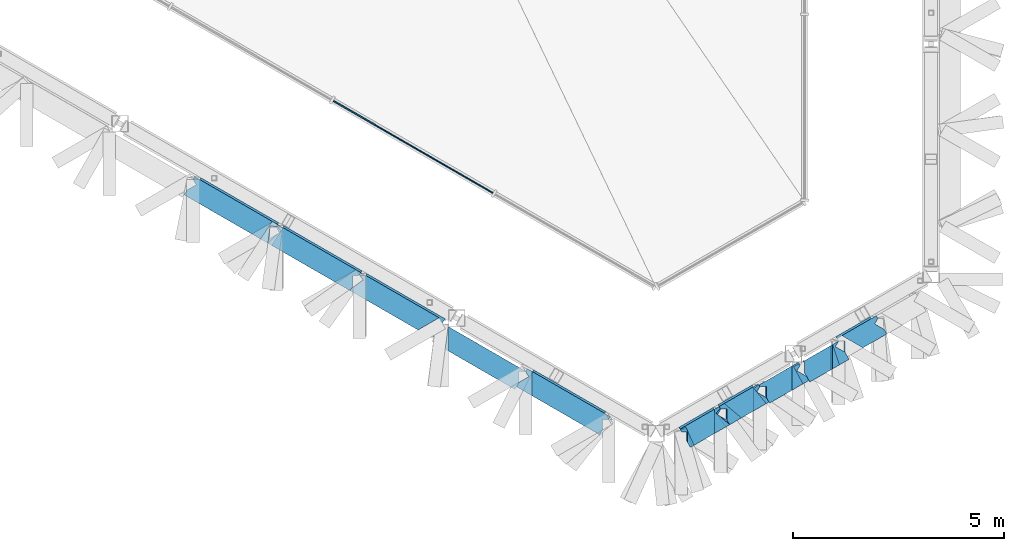
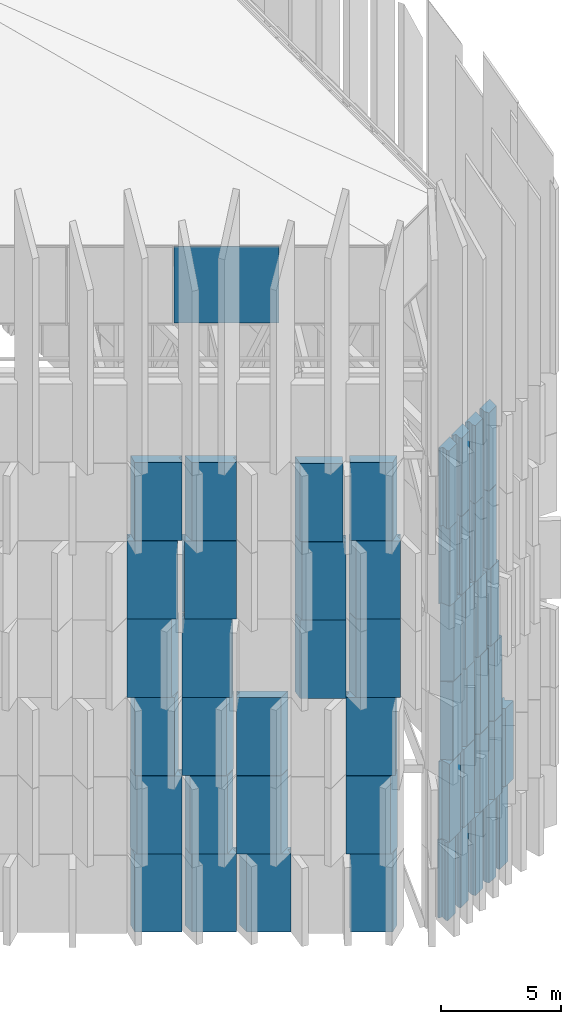
# One storey, part 29 of 45: 51 plates, 1 element without a shape of its own.
"""IFC4 building model written with IfcOpenShell, lengths in metres."""

from ifc_helpers import new_model, si_unit, direction, frame, origin, origin_2d, place, context, subcontext, project, spatial, polyline, rectangle, outline, extrude, material, layer, layer_set, type_object, element, aggregate, save


model = new_model("IFC4")

# Units and contexts
model_context = context("Model", 3, precision=1e-05, world=origin(), true_north=direction((0.0, 1.0)))
body_context = subcontext(model_context, "Body", "Model", "MODEL_VIEW")
ifc_project = project(units=[si_unit("LENGTHUNIT", "METRE"), si_unit("AREAUNIT", "SQUARE_METRE"), si_unit("VOLUMEUNIT", "CUBIC_METRE"), si_unit("PLANEANGLEUNIT", "RADIAN"), si_unit("MASSUNIT", "GRAM", prefix="KILO")], contexts=[model_context])

# Site, building, storey
site_placement = place(None, origin())
site = spatial("IfcSite", under=ifc_project, at=site_placement, CompositionType="ELEMENT")
building_placement = place(site_placement, origin())
building = spatial("IfcBuilding", under=site, at=building_placement, Name="Jabali Bay Hotel Tower and Convention Centre", CompositionType="ELEMENT")
storey_placement = place(building_placement, frame((0.0, 0.0, 322.39990234375)))
storey = spatial("IfcBuildingStorey", under=building, at=storey_placement, Name="Crown", CompositionType="ELEMENT", Elevation=322.39990234375)

# Curtain wall, plate
ifc_material_1 = material(Name="Aluminium and glass", Category="aluminium")
ifc_layer_1 = layer(ifc_material_1, 0.199951171875)
ifc_layer_set_1 = layer_set([ifc_layer_1], Name="Aluminium and glass")
curtain_wall_type = type_object("IfcCurtainWallType", Name="CW6 curtain wall", PredefinedType="NOTDEFINED", material=ifc_layer_set_1)
curtain_wall_placement = place(storey_placement, origin())
curtain_wall = element("IfcCurtainWall", 1, at=curtain_wall_placement, inside=storey, type_object=curtain_wall_type, Name="CW6 lantern glazing 5", PredefinedType="NOTDEFINED")
ifc_material_2 = material(Name="Glass", Category="glass")
ifc_layer_2 = layer(ifc_material_2, 0.031982421875)
ifc_layer_set_2 = layer_set([ifc_layer_2], Name="Glass")
plate_type_1 = type_object("IfcPlateType", Name="CW6 glass panel 32", PredefinedType="CURTAIN_PANEL", material=ifc_layer_set_2)
plate_1_placement = place(storey_placement, frame((80.865478515625, 59.121337890625, 28.41015625), z_axis=(0.0, 0.0, 1.0), x_axis=(0.866025400826, -0.500000005124, 0.0)))
plate_1 = element("IfcPlate", 2, at=plate_1_placement, type_object=plate_type_1, Name="CW6 panel 9.1", PredefinedType="CURTAIN_PANEL", context=body_context, shape_type="SweptSolid", body=[
    extrude(rectangle(XDim=4.3740234375, YDim=0.031982421875, at=origin_2d()), origin(), (0.0, 0.0, 1.0), 3.8798828125),
])
aggregate(curtain_wall, [plate_1])

# Plates
ifc_material_3 = material(Name="Precast concrete C60", Category="concrete")
ifc_layer_3 = layer(ifc_material_3, 0.5)
ifc_layer_set_3 = layer_set([ifc_layer_3], Name="Precast concrete C60")
plate_type_2 = type_object("IfcPlateType", Name="Pierced precast screen", PredefinedType="USERDEFINED", material=ifc_layer_set_3)
plate_2_placement = place(storey_placement, frame((0.0, 0.0, 0.010009765625)))
element("IfcPlate", 3, at=plate_2_placement, inside=storey, type_object=plate_type_2, Name="Screen 1.4.71", ObjectType="SCREEN", PredefinedType="USERDEFINED", context=body_context, shape_type="SweptSolid", body=[
    extrude(outline(polyline([(77.678955078125, 57.32373046875), (75.830810546875, 58.390869140625), (75.72705078125, 57.873291015625), (77.428955078125, 56.890625), (77.491455078125, 56.9990234375), (77.491455078125, 57.2587890625), (77.6416015625, 57.2587890625), (77.678955078125, 57.32373046875)])), origin(), (0.0, 0.0, 1.0), 3.9658203125),
])
plate_3_placement = place(storey_placement, frame((0.0, 0.0, 0.010009765625)))
element("IfcPlate", 4, at=plate_3_placement, inside=storey, type_object=plate_type_2, Name="Screen 1.4.72", ObjectType="SCREEN", PredefinedType="USERDEFINED", context=body_context, shape_type="SweptSolid", body=[
    extrude(outline(polyline([(79.650390625, 56.185546875), (77.79150390625, 57.2587890625), (77.79150390625, 56.681396484375), (79.400390625, 55.75244140625), (79.462890625, 55.86083984375), (79.462890625, 56.12060546875), (79.613037109375, 56.12060546875), (79.650390625, 56.185546875)])), origin(), (0.0, 0.0, 1.0), 3.9658203125),
])
plate_4_placement = place(storey_placement, frame((0.0, 0.0, 0.010009765625)))
element("IfcPlate", 5, at=plate_4_placement, inside=storey, type_object=plate_type_2, Name="Screen 1.4.73", ObjectType="SCREEN", PredefinedType="USERDEFINED", context=body_context, shape_type="SweptSolid", body=[
    extrude(outline(polyline([(81.621826171875, 55.04736328125), (79.762939453125, 56.12060546875), (79.762939453125, 55.543212890625), (81.361572265625, 54.6201171875), (81.40234375, 54.943603515625), (81.551025390625, 54.9248046875), (81.621826171875, 55.04736328125)])), origin(), (0.0, 0.0, 1.0), 3.9658203125),
])
plate_5_placement = place(storey_placement, frame((0.0, 0.0, 0.010009765625)))
element("IfcPlate", 6, at=plate_5_placement, inside=storey, type_object=plate_type_2, Name="Screen 1.4.75", ObjectType="SCREEN", PredefinedType="USERDEFINED", context=body_context, shape_type="SweptSolid", body=[
    extrude(outline(polyline([(85.44189453125, 52.841796875), (83.722900390625, 53.834228515625), (83.4990234375, 53.38623046875), (85.042724609375, 52.494873046875), (85.44189453125, 52.841796875)])), origin(), (0.0, 0.0, 1.0), 3.9658203125),
])
plate_6_placement = place(storey_placement, frame((0.0, 0.0, 0.010009765625)))
element("IfcPlate", 7, at=plate_6_placement, inside=storey, type_object=plate_type_2, Name="Screen 1.5.77", ObjectType="SCREEN", PredefinedType="USERDEFINED", context=body_context, shape_type="SweptSolid", body=[
    extrude(outline(polyline([(87.985595703125, 52.94384765625), (87.166259765625, 52.470947265625), (87.203857421875, 52.406005859375), (87.353759765625, 52.406005859375), (87.353759765625, 52.14599609375), (87.416259765625, 52.037841796875), (87.985595703125, 52.366455078125), (87.985595703125, 52.94384765625)])), origin(), (0.0, 0.0, 1.0), 3.9658203125),
])
plate_7_placement = place(storey_placement, frame((0.0, 0.0, 0.010009765625)))
element("IfcPlate", 8, at=plate_7_placement, inside=storey, type_object=plate_type_2, Name="Screen 1.5.78", ObjectType="SCREEN", PredefinedType="USERDEFINED", context=body_context, shape_type="SweptSolid", body=[
    extrude(outline(polyline([(88.917724609375, 53.48193359375), (88.09814453125, 53.0087890625), (88.1357421875, 52.94384765625), (88.28564453125, 52.94384765625), (88.28564453125, 52.68408203125), (88.34814453125, 52.575927734375), (88.917724609375, 52.904541015625), (88.917724609375, 53.48193359375)])), origin(), (0.0, 0.0, 1.0), 3.9658203125),
])
plate_8_placement = place(storey_placement, frame((0.0, 0.0, 0.010009765625)))
element("IfcPlate", 9, at=plate_8_placement, inside=storey, type_object=plate_type_2, Name="Screen 1.5.79", ObjectType="SCREEN", PredefinedType="USERDEFINED", context=body_context, shape_type="SweptSolid", body=[
    extrude(outline(polyline([(89.8525390625, 53.92822265625), (89.07958984375, 53.48193359375), (89.217529296875, 53.48193359375), (89.217529296875, 53.22216796875), (89.320556640625, 53.0439453125), (89.8525390625, 53.35107421875), (89.8525390625, 53.92822265625)])), origin(), (0.0, 0.0, 1.0), 3.9658203125),
])
plate_9_placement = place(storey_placement, frame((0.0, 0.0, 0.010009765625)))
element("IfcPlate", 10, at=plate_9_placement, inside=storey, type_object=plate_type_2, Name="Screen 1.5.80", ObjectType="SCREEN", PredefinedType="USERDEFINED", context=body_context, shape_type="SweptSolid", body=[
    extrude(outline(polyline([(90.781494140625, 54.415771484375), (90.0869140625, 54.014892578125), (90.152587890625, 54.014892578125), (90.152587890625, 53.755126953125), (90.273681640625, 53.545166015625), (90.781494140625, 53.83837890625), (90.781494140625, 54.415771484375)])), origin(), (0.0, 0.0, 1.0), 3.9658203125),
])
plate_10_placement = place(storey_placement, frame((0.0, 0.0, 0.010009765625)))
element("IfcPlate", 11, at=plate_10_placement, inside=storey, type_object=plate_type_2, Name="Screen 1.5.81", ObjectType="SCREEN", PredefinedType="USERDEFINED", context=body_context, shape_type="SweptSolid", body=[
    extrude(outline(polyline([(91.708740234375, 55.093505859375), (90.89404296875, 54.623046875), (90.931396484375, 54.55810546875), (91.08154296875, 54.55810546875), (91.08154296875, 54.29833984375), (91.14404296875, 54.18994140625), (91.7509765625, 54.54052734375), (91.708740234375, 55.093505859375)])), origin(), (0.0, 0.0, 1.0), 3.9658203125),
])
plate_11_placement = place(storey_placement, frame((0.0, 0.0, 3.995849609375)))
element("IfcPlate", 12, at=plate_11_placement, inside=storey, type_object=plate_type_2, Name="Screen 2.4.71", ObjectType="SCREEN", PredefinedType="USERDEFINED", context=body_context, shape_type="SweptSolid", body=[
    extrude(outline(polyline([(77.654052734375, 57.2802734375), (75.795166015625, 58.353515625), (75.795166015625, 57.776123046875), (77.404052734375, 56.847412109375), (77.4287109375, 56.889892578125), (77.476806640625, 57.250732421875), (77.62548828125, 57.23095703125), (77.654052734375, 57.2802734375)])), origin(), (0.0, 0.0, 1.0), 3.965576171875),
])
plate_12_placement = place(storey_placement, frame((0.0, 0.0, 3.995849609375)))
element("IfcPlate", 13, at=plate_12_placement, inside=storey, type_object=plate_type_2, Name="Screen 2.4.72", ObjectType="SCREEN", PredefinedType="USERDEFINED", context=body_context, shape_type="SweptSolid", body=[
    extrude(outline(polyline([(79.50732421875, 56.21044921875), (77.774169921875, 57.2109375), (77.70263671875, 56.675048828125), (79.05908203125, 55.891845703125), (79.50732421875, 56.21044921875)])), origin(), (0.0, 0.0, 1.0), 3.965576171875),
])
plate_13_placement = place(storey_placement, frame((0.0, 0.0, 3.995849609375)))
element("IfcPlate", 14, at=plate_13_placement, inside=storey, type_object=plate_type_2, Name="Screen 2.4.73", ObjectType="SCREEN", PredefinedType="USERDEFINED", context=body_context, shape_type="SweptSolid", body=[
    extrude(outline(polyline([(81.484375, 55.06884765625), (79.62548828125, 56.14208984375), (79.59423828125, 56.088134765625), (79.68115234375, 55.9658203125), (79.4140625, 55.776123046875), (79.37548828125, 55.709228515625), (80.984375, 54.7802734375), (81.484375, 55.06884765625)])), origin(), (0.0, 0.0, 1.0), 3.965576171875),
])
plate_14_placement = place(storey_placement, frame((0.0, 0.0, 3.995849609375)))
element("IfcPlate", 15, at=plate_14_placement, inside=storey, type_object=plate_type_2, Name="Screen 2.4.75", ObjectType="SCREEN", PredefinedType="USERDEFINED", context=body_context, shape_type="SweptSolid", body=[
    extrude(outline(polyline([(85.427001953125, 52.79248046875), (83.568115234375, 53.86572265625), (83.53076171875, 53.80078125), (83.605712890625, 53.6708984375), (83.380859375, 53.541015625), (83.318115234375, 53.432861328125), (84.927001953125, 52.50390625), (85.427001953125, 52.79248046875)])), origin(), (0.0, 0.0, 1.0), 3.965576171875),
])
plate_15_placement = place(storey_placement, frame((0.0, 0.0, 3.995849609375)))
element("IfcPlate", 16, at=plate_15_placement, inside=storey, type_object=plate_type_2, Name="Screen 2.5.77", ObjectType="SCREEN", PredefinedType="USERDEFINED", context=body_context, shape_type="SweptSolid", body=[
    extrude(outline(polyline([(88.123291015625, 52.965576171875), (87.19140625, 52.427490234375), (87.209716796875, 52.3955078125), (87.354248046875, 52.43603515625), (87.47314453125, 52.012939453125), (88.287109375, 52.48291015625), (88.009765625, 52.863525390625), (88.131103515625, 52.951904296875), (88.123291015625, 52.965576171875)])), origin(), (0.0, 0.0, 1.0), 3.965576171875),
])
plate_16_placement = place(storey_placement, frame((0.0, 0.0, 3.995849609375)))
element("IfcPlate", 17, at=plate_16_placement, inside=storey, type_object=plate_type_2, Name="Screen 2.5.78", ObjectType="SCREEN", PredefinedType="USERDEFINED", context=body_context, shape_type="SweptSolid", body=[
    extrude(outline(polyline([(89.05517578125, 53.503662109375), (88.25244140625, 53.0400390625), (88.54833984375, 52.6337890625), (89.30517578125, 53.070556640625), (89.262939453125, 53.143798828125), (89.001708984375, 53.324951171875), (89.087158203125, 53.4482421875), (89.05517578125, 53.503662109375)])), origin(), (0.0, 0.0, 1.0), 3.965576171875),
])
plate_17_placement = place(storey_placement, frame((0.0, 0.0, 3.995849609375)))
element("IfcPlate", 18, at=plate_17_placement, inside=storey, type_object=plate_type_2, Name="Screen 2.5.79", ObjectType="SCREEN", PredefinedType="USERDEFINED", context=body_context, shape_type="SweptSolid", body=[
    extrude(outline(polyline([(90.00244140625, 54.014892578125), (89.20068359375, 53.552001953125), (89.655029296875, 53.237060546875), (90.25244140625, 53.581787109375), (90.19482421875, 53.681884765625), (89.9697265625, 53.811767578125), (90.044677734375, 53.941650390625), (90.00244140625, 54.014892578125)])), origin(), (0.0, 0.0, 1.0), 3.965576171875),
])
plate_18_placement = place(storey_placement, frame((0.0, 0.0, 3.995849609375)))
element("IfcPlate", 19, at=plate_18_placement, inside=storey, type_object=plate_type_2, Name="Screen 2.5.80", ObjectType="SCREEN", PredefinedType="USERDEFINED", context=body_context, shape_type="SweptSolid", body=[
    extrude(outline(polyline([(90.95556640625, 54.516357421875), (90.152587890625, 54.052734375), (90.652587890625, 53.763916015625), (91.20556640625, 54.083251953125), (91.1064453125, 54.2548828125), (90.88134765625, 54.384765625), (90.95654296875, 54.514892578125), (90.95556640625, 54.516357421875)])), origin(), (0.0, 0.0, 1.0), 3.965576171875),
])
plate_19_placement = place(storey_placement, frame((0.0, 0.0, 3.995849609375)))
element("IfcPlate", 20, at=plate_19_placement, inside=storey, type_object=plate_type_2, Name="Screen 2.5.81", ObjectType="SCREEN", PredefinedType="USERDEFINED", context=body_context, shape_type="SweptSolid", body=[
    extrude(outline(polyline([(91.850830078125, 55.11767578125), (91.031494140625, 54.644775390625), (91.531494140625, 54.35595703125), (92.100830078125, 54.684814453125), (92.038330078125, 54.79296875), (91.8134765625, 54.9228515625), (91.888427734375, 55.052734375), (91.850830078125, 55.11767578125)])), origin(), (0.0, 0.0, 1.0), 3.965576171875),
])
plate_20_placement = place(storey_placement, frame((0.0, 0.0, 7.9814453125)))
element("IfcPlate", 21, at=plate_20_placement, inside=storey, type_object=plate_type_2, Name="Screen 3.4.71", ObjectType="SCREEN", PredefinedType="USERDEFINED", context=body_context, shape_type="SweptSolid", body=[
    extrude(outline(polyline([(77.52978515625, 57.35205078125), (75.8056640625, 58.34765625), (75.703125, 57.829345703125), (77.146728515625, 56.995849609375), (77.52978515625, 57.35205078125)])), origin(), (0.0, 0.0, 1.0), 3.9658203125),
])
plate_21_placement = place(storey_placement, frame((0.0, 0.0, 7.9814453125)))
element("IfcPlate", 22, at=plate_21_placement, inside=storey, type_object=plate_type_2, Name="Screen 3.4.72", ObjectType="SCREEN", PredefinedType="USERDEFINED", context=body_context, shape_type="SweptSolid", body=[
    extrude(outline(polyline([(79.512939453125, 56.20703125), (77.654052734375, 57.2802734375), (77.632080078125, 57.2421875), (77.734130859375, 57.13232421875), (77.41845703125, 56.839111328125), (79.012939453125, 55.91845703125), (79.512939453125, 56.20703125)])), origin(), (0.0, 0.0, 1.0), 3.9658203125),
])
plate_22_placement = place(storey_placement, frame((0.0, 0.0, 7.9814453125)))
element("IfcPlate", 23, at=plate_22_placement, inside=storey, type_object=plate_type_2, Name="Screen 3.4.73", ObjectType="SCREEN", PredefinedType="USERDEFINED", context=body_context, shape_type="SweptSolid", body=[
    extrude(outline(polyline([(81.484375, 55.06884765625), (79.62548828125, 56.14208984375), (79.587890625, 56.0771484375), (79.662841796875, 55.947265625), (79.43798828125, 55.8173828125), (79.37548828125, 55.709228515625), (80.984375, 54.7802734375), (81.484375, 55.06884765625)])), origin(), (0.0, 0.0, 1.0), 3.9658203125),
])
plate_23_placement = place(storey_placement, frame((0.0, 0.0, 7.9814453125)))
element("IfcPlate", 24, at=plate_23_placement, inside=storey, type_object=plate_type_2, Name="Screen 3.4.75", ObjectType="SCREEN", PredefinedType="USERDEFINED", context=body_context, shape_type="SweptSolid", body=[
    extrude(outline(polyline([(85.410888671875, 52.802001953125), (83.568115234375, 53.86572265625), (83.53076171875, 53.80078125), (83.605712890625, 53.6708984375), (83.380859375, 53.541015625), (83.318115234375, 53.432861328125), (85.10205078125, 52.40283203125), (85.410888671875, 52.802001953125)])), origin(), (0.0, 0.0, 1.0), 3.9658203125),
])
plate_24_placement = place(storey_placement, frame((0.0, 0.0, 7.9814453125)))
element("IfcPlate", 25, at=plate_24_placement, inside=storey, type_object=plate_type_2, Name="Screen 3.5.77", ObjectType="SCREEN", PredefinedType="USERDEFINED", context=body_context, shape_type="SweptSolid", body=[
    extrude(outline(polyline([(88.123291015625, 52.965576171875), (87.310302734375, 52.49609375), (87.75048828125, 52.173095703125), (88.373291015625, 52.532470703125), (88.310791015625, 52.640869140625), (88.085693359375, 52.770751953125), (88.16064453125, 52.900634765625), (88.123291015625, 52.965576171875)])), origin(), (0.0, 0.0, 1.0), 3.9658203125),
])
plate_25_placement = place(storey_placement, frame((0.0, 0.0, 7.9814453125)))
element("IfcPlate", 26, at=plate_25_placement, inside=storey, type_object=plate_type_2, Name="Screen 3.5.78", ObjectType="SCREEN", PredefinedType="USERDEFINED", context=body_context, shape_type="SweptSolid", body=[
    extrude(outline(polyline([(89.05517578125, 53.503662109375), (88.23583984375, 53.030517578125), (88.73583984375, 52.741943359375), (89.30517578125, 53.070556640625), (89.24267578125, 53.178955078125), (89.017578125, 53.308837890625), (89.092529296875, 53.438720703125), (89.05517578125, 53.503662109375)])), origin(), (0.0, 0.0, 1.0), 3.9658203125),
])
plate_26_placement = place(storey_placement, frame((0.0, 0.0, 7.9814453125)))
element("IfcPlate", 27, at=plate_26_placement, inside=storey, type_object=plate_type_2, Name="Screen 3.5.79", ObjectType="SCREEN", PredefinedType="USERDEFINED", context=body_context, shape_type="SweptSolid", body=[
    extrude(outline(polyline([(90.00244140625, 54.014892578125), (89.198486328125, 53.55078125), (89.698486328125, 53.261962890625), (90.25244140625, 53.581787109375), (90.19482421875, 53.681884765625), (89.9697265625, 53.811767578125), (90.044677734375, 53.941650390625), (90.00244140625, 54.014892578125)])), origin(), (0.0, 0.0, 1.0), 3.9658203125),
])
plate_27_placement = place(storey_placement, frame((0.0, 0.0, 7.9814453125)))
element("IfcPlate", 28, at=plate_27_placement, inside=storey, type_object=plate_type_2, Name="Screen 3.5.80", ObjectType="SCREEN", PredefinedType="USERDEFINED", context=body_context, shape_type="SweptSolid", body=[
    extrude(outline(polyline([(90.95556640625, 54.516357421875), (90.152587890625, 54.052734375), (90.652587890625, 53.763916015625), (91.20556640625, 54.083251953125), (91.1064453125, 54.2548828125), (90.88134765625, 54.384765625), (90.95654296875, 54.514892578125), (90.95556640625, 54.516357421875)])), origin(), (0.0, 0.0, 1.0), 3.9658203125),
])
plate_28_placement = place(storey_placement, frame((0.0, 0.0, 11.96728515625)))
element("IfcPlate", 29, at=plate_28_placement, inside=storey, type_object=plate_type_2, Name="Screen 4.4.71", ObjectType="SCREEN", PredefinedType="USERDEFINED", context=body_context, shape_type="SweptSolid", body=[
    extrude(outline(polyline([(77.54150390625, 57.34521484375), (75.6826171875, 58.41845703125), (75.64501953125, 58.353515625), (75.72021484375, 58.2236328125), (75.4951171875, 58.09375), (75.4326171875, 57.985595703125), (77.04150390625, 57.056640625), (77.54150390625, 57.34521484375)])), origin(), (0.0, 0.0, 1.0), 3.965576171875),
])
plate_29_placement = place(storey_placement, frame((0.0, 0.0, 11.96728515625)))
element("IfcPlate", 30, at=plate_29_placement, inside=storey, type_object=plate_type_2, Name="Screen 4.4.72", ObjectType="SCREEN", PredefinedType="USERDEFINED", context=body_context, shape_type="SweptSolid", body=[
    extrude(outline(polyline([(79.49609375, 56.216796875), (77.654052734375, 57.2802734375), (77.616455078125, 57.21533203125), (77.691650390625, 57.08544921875), (77.466552734375, 56.95556640625), (77.404052734375, 56.847412109375), (79.20751953125, 55.80615234375), (79.49609375, 56.216796875)])), origin(), (0.0, 0.0, 1.0), 3.965576171875),
])
plate_30_placement = place(storey_placement, frame((0.0, 0.0, 11.96728515625)))
element("IfcPlate", 31, at=plate_30_placement, inside=storey, type_object=plate_type_2, Name="Screen 4.4.74", ObjectType="SCREEN", PredefinedType="USERDEFINED", context=body_context, shape_type="SweptSolid", body=[
    extrude(outline(polyline([(83.53173828125, 53.802490234375), (81.6943359375, 54.86328125), (81.6220703125, 54.32763671875), (83.28173828125, 53.369384765625), (83.380859375, 53.541015625), (83.380859375, 53.80078125), (83.53076171875, 53.80078125), (83.53173828125, 53.802490234375)])), origin(), (0.0, 0.0, 1.0), 3.965576171875),
])
plate_31_placement = place(storey_placement, frame((0.0, 0.0, 11.96728515625)))
element("IfcPlate", 32, at=plate_31_placement, inside=storey, type_object=plate_type_2, Name="Screen 4.4.75", ObjectType="SCREEN", PredefinedType="USERDEFINED", context=body_context, shape_type="SweptSolid", body=[
    extrude(outline(polyline([(85.53955078125, 52.7275390625), (83.6806640625, 53.80078125), (83.6806640625, 53.223388671875), (85.28955078125, 52.294677734375), (85.35205078125, 52.40283203125), (85.35205078125, 52.66259765625), (85.502197265625, 52.66259765625), (85.53955078125, 52.7275390625)])), origin(), (0.0, 0.0, 1.0), 3.965576171875),
])
plate_32_placement = place(storey_placement, frame((0.0, 0.0, 11.96728515625)))
element("IfcPlate", 33, at=plate_32_placement, inside=storey, type_object=plate_type_2, Name="Screen 4.5.77", ObjectType="SCREEN", PredefinedType="USERDEFINED", context=body_context, shape_type="SweptSolid", body=[
    extrude(outline(polyline([(88.123291015625, 52.965576171875), (87.304931640625, 52.4931640625), (87.79443359375, 52.198486328125), (88.373291015625, 52.532470703125), (88.36962890625, 52.53857421875), (88.052001953125, 52.806884765625), (88.148681640625, 52.921630859375), (88.123291015625, 52.965576171875)])), origin(), (0.0, 0.0, 1.0), 3.965576171875),
])
plate_33_placement = place(storey_placement, frame((0.0, 0.0, 11.96728515625)))
element("IfcPlate", 34, at=plate_33_placement, inside=storey, type_object=plate_type_2, Name="Screen 4.5.78", ObjectType="SCREEN", PredefinedType="USERDEFINED", context=body_context, shape_type="SweptSolid", body=[
    extrude(outline(polyline([(89.05517578125, 53.503662109375), (88.245361328125, 53.0361328125), (88.651611328125, 52.693359375), (89.24169921875, 53.033935546875), (88.951416015625, 53.38720703125), (89.0673828125, 53.482421875), (89.05517578125, 53.503662109375)])), origin(), (0.0, 0.0, 1.0), 3.965576171875),
])
plate_34_placement = place(storey_placement, frame((0.0, 0.0, 11.96728515625)))
element("IfcPlate", 35, at=plate_34_placement, inside=storey, type_object=plate_type_2, Name="Screen 4.5.79", ObjectType="SCREEN", PredefinedType="USERDEFINED", context=body_context, shape_type="SweptSolid", body=[
    extrude(outline(polyline([(90.00244140625, 54.014892578125), (89.203125, 53.553466796875), (89.525146484375, 53.161865234375), (90.11328125, 53.50146484375), (89.89111328125, 53.907958984375), (90.022705078125, 53.979736328125), (90.00244140625, 54.014892578125)])), origin(), (0.0, 0.0, 1.0), 3.965576171875),
])
plate_35_placement = place(storey_placement, frame((0.0, 0.0, 11.96728515625)))
element("IfcPlate", 36, at=plate_35_placement, inside=storey, type_object=plate_type_2, Name="Screen 4.5.80", ObjectType="SCREEN", PredefinedType="USERDEFINED", context=body_context, shape_type="SweptSolid", body=[
    extrude(outline(polyline([(90.8154296875, 54.435302734375), (90.0869140625, 54.014892578125), (90.154296875, 54.0517578125), (90.393310546875, 53.614501953125), (90.976806640625, 53.951171875), (90.8154296875, 54.435302734375)])), origin(), (0.0, 0.0, 1.0), 3.965576171875),
])
plate_36_placement = place(storey_placement, frame((0.0, 0.0, 15.952880859375)))
element("IfcPlate", 37, at=plate_36_placement, inside=storey, type_object=plate_type_2, Name="Screen 5.4.71", ObjectType="SCREEN", PredefinedType="USERDEFINED", context=body_context, shape_type="SweptSolid", body=[
    extrude(outline(polyline([(77.5244140625, 57.355224609375), (75.6826171875, 58.41845703125), (75.64501953125, 58.353515625), (75.72021484375, 58.2236328125), (75.4951171875, 58.09375), (75.4326171875, 57.985595703125), (77.24951171875, 56.9365234375), (77.5244140625, 57.355224609375)])), origin(), (0.0, 0.0, 1.0), 3.9658203125),
])
plate_37_placement = place(storey_placement, frame((0.0, 0.0, 15.952880859375)))
element("IfcPlate", 38, at=plate_37_placement, inside=storey, type_object=plate_type_2, Name="Screen 5.4.72", ObjectType="SCREEN", PredefinedType="USERDEFINED", context=body_context, shape_type="SweptSolid", body=[
    extrude(outline(polyline([(79.62548828125, 56.14208984375), (77.654052734375, 57.2802734375), (77.649658203125, 57.27294921875), (77.775146484375, 57.190673828125), (77.509765625, 56.786376953125), (79.37548828125, 55.709228515625), (79.43798828125, 55.8173828125), (79.43798828125, 56.0771484375), (79.587890625, 56.0771484375), (79.62548828125, 56.14208984375)])), origin(), (0.0, 0.0, 1.0), 3.9658203125),
])
plate_38_placement = place(storey_placement, frame((0.0, 0.0, 15.952880859375)))
element("IfcPlate", 39, at=plate_38_placement, inside=storey, type_object=plate_type_2, Name="Screen 5.4.74", ObjectType="SCREEN", PredefinedType="USERDEFINED", context=body_context, shape_type="SweptSolid", body=[
    extrude(outline(polyline([(83.53173828125, 53.802490234375), (81.699951171875, 54.85986328125), (81.699951171875, 54.28271484375), (83.28173828125, 53.369384765625), (83.380859375, 53.541015625), (83.380859375, 53.80078125), (83.53076171875, 53.80078125), (83.53173828125, 53.802490234375)])), origin(), (0.0, 0.0, 1.0), 3.9658203125),
])
plate_39_placement = place(storey_placement, frame((0.0, 0.0, 15.952880859375)))
element("IfcPlate", 40, at=plate_39_placement, inside=storey, type_object=plate_type_2, Name="Screen 5.4.75", ObjectType="SCREEN", PredefinedType="USERDEFINED", context=body_context, shape_type="SweptSolid", body=[
    extrude(outline(polyline([(85.53955078125, 52.7275390625), (83.6806640625, 53.80078125), (83.6806640625, 53.223388671875), (85.28955078125, 52.294677734375), (85.35205078125, 52.40283203125), (85.35205078125, 52.66259765625), (85.502197265625, 52.66259765625), (85.53955078125, 52.7275390625)])), origin(), (0.0, 0.0, 1.0), 3.9658203125),
])
plate_40_placement = place(storey_placement, frame((0.0, 0.0, 15.952880859375)))
element("IfcPlate", 41, at=plate_40_placement, inside=storey, type_object=plate_type_2, Name="Screen 5.5.77", ObjectType="SCREEN", PredefinedType="USERDEFINED", context=body_context, shape_type="SweptSolid", body=[
    extrude(outline(polyline([(88.01025390625, 52.900390625), (87.19140625, 52.427490234375), (87.198974609375, 52.414306640625), (87.335693359375, 52.475830078125), (87.529052734375, 52.045166015625), (88.013916015625, 52.3251953125), (88.01025390625, 52.900390625)])), origin(), (0.0, 0.0, 1.0), 3.9658203125),
])
plate_41_placement = place(storey_placement, frame((0.0, 0.0, 15.952880859375)))
element("IfcPlate", 42, at=plate_41_placement, inside=storey, type_object=plate_type_2, Name="Screen 5.5.78", ObjectType="SCREEN", PredefinedType="USERDEFINED", context=body_context, shape_type="SweptSolid", body=[
    extrude(outline(polyline([(88.942626953125, 53.438720703125), (88.123291015625, 52.965576171875), (88.160400390625, 52.9013671875), (88.310302734375, 52.90234375), (88.31201171875, 52.638671875), (88.373291015625, 52.532470703125), (88.942626953125, 52.861328125), (88.942626953125, 53.438720703125)])), origin(), (0.0, 0.0, 1.0), 3.9658203125),
])
plate_42_placement = place(storey_placement, frame((0.0, 0.0, 15.952880859375)))
element("IfcPlate", 43, at=plate_42_placement, inside=storey, type_object=plate_type_2, Name="Screen 5.5.79", ObjectType="SCREEN", PredefinedType="USERDEFINED", context=body_context, shape_type="SweptSolid", body=[
    extrude(outline(polyline([(89.8525390625, 53.92822265625), (89.070556640625, 53.476806640625), (89.092529296875, 53.438720703125), (89.24267578125, 53.438720703125), (89.24267578125, 53.178955078125), (89.320556640625, 53.0439453125), (89.8525390625, 53.35107421875), (89.8525390625, 53.92822265625)])), origin(), (0.0, 0.0, 1.0), 3.9658203125),
])
plate_43_placement = place(storey_placement, frame((0.0, 0.0, 15.952880859375)))
element("IfcPlate", 44, at=plate_43_placement, inside=storey, type_object=plate_type_2, Name="Screen 5.5.80", ObjectType="SCREEN", PredefinedType="USERDEFINED", context=body_context, shape_type="SweptSolid", body=[
    extrude(outline(polyline([(90.806396484375, 54.43017578125), (90.0869140625, 54.014892578125), (90.152587890625, 54.014892578125), (90.152587890625, 53.755126953125), (90.273681640625, 53.545166015625), (90.806396484375, 53.852783203125), (90.806396484375, 54.43017578125)])), origin(), (0.0, 0.0, 1.0), 3.9658203125),
])
plate_44_placement = place(storey_placement, frame((0.0, 0.0, 19.938720703125)))
element("IfcPlate", 45, at=plate_44_placement, inside=storey, type_object=plate_type_2, Name="Screen 6.4.71", ObjectType="SCREEN", PredefinedType="USERDEFINED", context=body_context, shape_type="SweptSolid", body=[
    extrude(outline(polyline([(77.654052734375, 57.2802734375), (75.8056640625, 58.347412109375), (75.701904296875, 57.830078125), (77.404052734375, 56.847412109375), (77.466552734375, 56.95556640625), (77.466552734375, 57.21533203125), (77.616455078125, 57.21533203125), (77.654052734375, 57.2802734375)])), origin(), (0.0, 0.0, 1.0), 3.965576171875),
])
plate_45_placement = place(storey_placement, frame((0.0, 0.0, 19.938720703125)))
element("IfcPlate", 46, at=plate_45_placement, inside=storey, type_object=plate_type_2, Name="Screen 6.4.72", ObjectType="SCREEN", PredefinedType="USERDEFINED", context=body_context, shape_type="SweptSolid", body=[
    extrude(outline(polyline([(79.62548828125, 56.14208984375), (77.7666015625, 57.21533203125), (77.7666015625, 56.637939453125), (79.37548828125, 55.709228515625), (79.43798828125, 55.8173828125), (79.43798828125, 56.0771484375), (79.587890625, 56.0771484375), (79.62548828125, 56.14208984375)])), origin(), (0.0, 0.0, 1.0), 3.965576171875),
])
plate_46_placement = place(storey_placement, frame((0.0, 0.0, 19.938720703125)))
element("IfcPlate", 47, at=plate_46_placement, inside=storey, type_object=plate_type_2, Name="Screen 6.4.74", ObjectType="SCREEN", PredefinedType="USERDEFINED", context=body_context, shape_type="SweptSolid", body=[
    extrude(outline(polyline([(83.40478515625, 53.875732421875), (81.694580078125, 54.863037109375), (81.626708984375, 54.324951171875), (83.180908203125, 53.427490234375), (83.40478515625, 53.875732421875)])), origin(), (0.0, 0.0, 1.0), 3.965576171875),
])
plate_47_placement = place(storey_placement, frame((0.0, 0.0, 19.938720703125)))
element("IfcPlate", 48, at=plate_47_placement, inside=storey, type_object=plate_type_2, Name="Screen 6.4.75", ObjectType="SCREEN", PredefinedType="USERDEFINED", context=body_context, shape_type="SweptSolid", body=[
    extrude(outline(polyline([(85.416748046875, 52.798583984375), (83.697998046875, 53.791015625), (83.473876953125, 53.3427734375), (85.017822265625, 52.45166015625), (85.416748046875, 52.798583984375)])), origin(), (0.0, 0.0, 1.0), 3.965576171875),
])
plate_48_placement = place(storey_placement, frame((0.0, 0.0, 19.938720703125)))
element("IfcPlate", 49, at=plate_48_placement, inside=storey, type_object=plate_type_2, Name="Screen 6.5.77", ObjectType="SCREEN", PredefinedType="USERDEFINED", context=body_context, shape_type="SweptSolid", body=[
    extrude(outline(polyline([(88.0107421875, 52.900634765625), (87.19140625, 52.427490234375), (87.228759765625, 52.362548828125), (87.378662109375, 52.362548828125), (87.378662109375, 52.102783203125), (87.44140625, 51.99462890625), (88.0107421875, 52.3232421875), (88.0107421875, 52.900634765625)])), origin(), (0.0, 0.0, 1.0), 3.965576171875),
])
plate_49_placement = place(storey_placement, frame((0.0, 0.0, 19.938720703125)))
element("IfcPlate", 50, at=plate_49_placement, inside=storey, type_object=plate_type_2, Name="Screen 6.5.78", ObjectType="SCREEN", PredefinedType="USERDEFINED", context=body_context, shape_type="SweptSolid", body=[
    extrude(outline(polyline([(88.942626953125, 53.438720703125), (88.123291015625, 52.965576171875), (88.16064453125, 52.900634765625), (88.310791015625, 52.900634765625), (88.310791015625, 52.640869140625), (88.373291015625, 52.532470703125), (88.942626953125, 52.861328125), (88.942626953125, 53.438720703125)])), origin(), (0.0, 0.0, 1.0), 3.965576171875),
])
plate_50_placement = place(storey_placement, frame((0.0, 0.0, 19.938720703125)))
element("IfcPlate", 51, at=plate_50_placement, inside=storey, type_object=plate_type_2, Name="Screen 6.5.79", ObjectType="SCREEN", PredefinedType="USERDEFINED", context=body_context, shape_type="SweptSolid", body=[
    extrude(outline(polyline([(89.8525390625, 53.92822265625), (89.070556640625, 53.476806640625), (89.092529296875, 53.438720703125), (89.24267578125, 53.438720703125), (89.24267578125, 53.178955078125), (89.320556640625, 53.0439453125), (89.8525390625, 53.35107421875), (89.8525390625, 53.92822265625)])), origin(), (0.0, 0.0, 1.0), 3.965576171875),
])
plate_51_placement = place(storey_placement, frame((0.0, 0.0, 19.938720703125)))
element("IfcPlate", 52, at=plate_51_placement, inside=storey, type_object=plate_type_2, Name="Screen 6.5.80", ObjectType="SCREEN", PredefinedType="USERDEFINED", context=body_context, shape_type="SweptSolid", body=[
    extrude(outline(polyline([(90.806396484375, 54.43017578125), (90.0869140625, 54.014892578125), (90.152587890625, 54.014892578125), (90.152587890625, 53.755126953125), (90.273681640625, 53.545166015625), (90.806396484375, 53.852783203125), (90.806396484375, 54.43017578125)])), origin(), (0.0, 0.0, 1.0), 3.965576171875),
])

save(model, "model.ifc")
